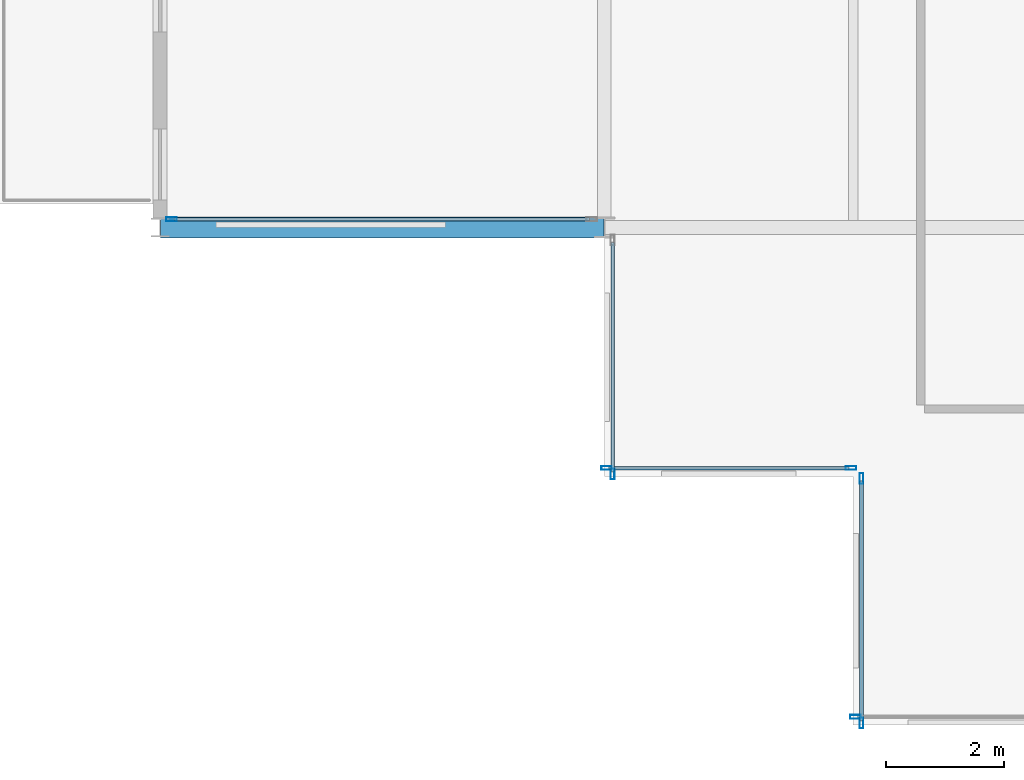
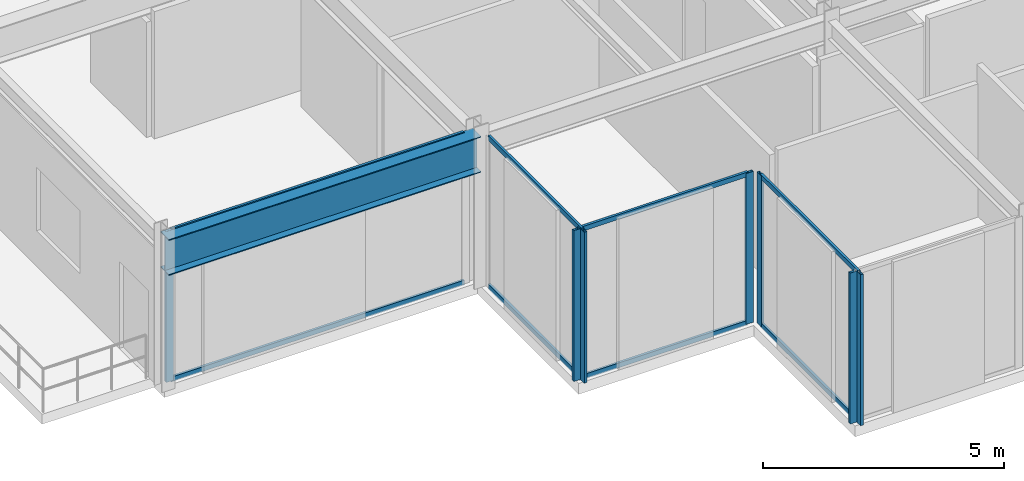
# One storey, part 3 of 29: 15 members, 1 beam, 5 elements without a shape of their own.
"""IFC4 building model written with IfcOpenShell, lengths in metres."""

from ifc_helpers import new_model, si_unit, direction, frame, origin, origin_2d, place, context, subcontext, project, spatial, hollow_rectangle, i_section, extrude, material, layer, layer_set, material_profile, profile_set, type_object, element, aggregate, save


model = new_model("IFC4")

# Units and contexts
model_context = context("Model", 3, precision=1e-05, world=origin(), true_north=direction((0.0, 1.0)))
body_context = subcontext(model_context, "Body", "Model", "MODEL_VIEW")
ifc_project = project(units=[si_unit("LENGTHUNIT", "METRE"), si_unit("AREAUNIT", "SQUARE_METRE"), si_unit("VOLUMEUNIT", "CUBIC_METRE"), si_unit("PLANEANGLEUNIT", "RADIAN"), si_unit("MASSUNIT", "GRAM", prefix="KILO")], contexts=[model_context])

# Site, building, storey
site_placement = place(None, origin())
site = spatial("IfcSite", under=ifc_project, at=site_placement, CompositionType="ELEMENT")
building_placement = place(site_placement, origin())
building = spatial("IfcBuilding", under=site, at=building_placement, Name="Nerrivon Quay Data Exchange", CompositionType="ELEMENT")
storey_placement = place(building_placement, frame((0.0, 0.0, 175.5)))
storey = spatial("IfcBuildingStorey", under=building, at=storey_placement, Name="L41", CompositionType="ELEMENT", Elevation=175.5)

# Beam
ifc_material_1 = material(Name="Steel Grade 350", Category="steel")
ifc_material_profile_1 = material_profile(ifc_material_1, i_section(OverallWidth=0.35009765625, OverallDepth=0.909912109375, WebThickness=0.011962890625, FlangeThickness=0.02490234375, at=origin_2d()), Name="900WB218")
ifc_profile_set_1 = profile_set([ifc_material_profile_1], Name="Steel Grade 350")
beam_type = type_object("IfcBeamType", Name="BM-CANT-900WB", PredefinedType="USERDEFINED", material=ifc_profile_set_1)
beam_placement = place(storey_placement, frame((-0.010009765625, 8.39990234375, 3.3701171875), z_axis=(-1.0, 0.0, 0.0), x_axis=(0.0, -1.0, 0.0)))
element("IfcBeam", 1, at=beam_placement, inside=storey, type_object=beam_type, Name="L41 West Hooked Cantilever Girder Y=8.4", ObjectType="TRANSFER", PredefinedType="USERDEFINED", context=body_context, shape_type="SweptSolid", body=[
    extrude(i_section(OverallWidth=0.35009765625, OverallDepth=0.909912109375, WebThickness=0.011962890625, FlangeThickness=0.02490234375, at=origin_2d()), origin(), (0.0, 0.0, 1.0), 7.482177734375),
])

# Curtain wall, member
ifc_material_2 = material(Name="Anodised aluminium 6063-T6", Category="aluminium")
ifc_layer_1 = layer(ifc_material_2, 0.195068359375)
ifc_layer_set_1 = layer_set([ifc_layer_1], Name="Anodised aluminium 6063-T6")
curtain_wall_type_1 = type_object("IfcCurtainWallType", Name="CW-SYS-06", PredefinedType="NOTDEFINED", material=ifc_layer_set_1)
curtain_wall_1_placement = place(storey_placement, origin())
curtain_wall_1 = element("IfcCurtainWall", 2, at=curtain_wall_1_placement, inside=storey, type_object=curtain_wall_type_1, Name="L41 Unitised Curtain Wall 28", PredefinedType="NOTDEFINED")
ifc_material_profile_2 = material_profile(ifc_material_2, hollow_rectangle(XDim=0.06494140625, YDim=0.179931640625, WallThickness=0.00341796875, at=origin_2d()), Name="ALU-MULL-180x65")
ifc_profile_set_2 = profile_set([ifc_material_profile_2], Name="Anodised aluminium 6063-T6")
member_type_1 = type_object("IfcMemberType", Name="CWM-180x65", PredefinedType="MULLION", material=ifc_profile_set_2)
member_1_placement = place(storey_placement, frame((4.237548828125, 0.139892578125, 0.0), z_axis=(0.0, 0.0, 1.0), x_axis=(0.0, -1.0, 0.0)))
member_1 = element("IfcMember", 3, at=member_1_placement, type_object=member_type_1, Name="CW06 mullion 2", PredefinedType="MULLION", context=body_context, shape_type="SweptSolid", body=[
    extrude(hollow_rectangle(XDim=0.06494140625, YDim=0.179931640625, WallThickness=0.00341796875, at=origin_2d()), origin(), (0.0, 0.0, 1.0), 3.824951171875),
])
aggregate(curtain_wall_1, [member_1])

# Curtain wall, members
curtain_wall_2_placement = place(storey_placement, origin())
curtain_wall_2 = element("IfcCurtainWall", 4, at=curtain_wall_2_placement, inside=storey, type_object=curtain_wall_type_1, Name="L41 Unitised Curtain Wall 29", PredefinedType="NOTDEFINED")
member_2_placement = place(storey_placement, frame((4.340087890625, 0.03759765625, 0.0), z_axis=(0.0, 0.0, 1.0), x_axis=(-1.0, 0.0, 0.0)))
member_2 = element("IfcMember", 5, at=member_2_placement, type_object=member_type_1, Name="CW06 mullion 1", PredefinedType="MULLION", context=body_context, shape_type="SweptSolid", body=[
    extrude(hollow_rectangle(XDim=0.06494140625, YDim=0.179931640625, WallThickness=0.00341796875, at=origin_2d()), origin(), (0.0, 0.0, 1.0), 3.824951171875),
])
member_3_placement = place(storey_placement, frame((4.340087890625, 4.16259765625, 0.0), z_axis=(0.0, 0.0, 1.0), x_axis=(-1.0, 0.0, 0.0)))
member_3 = element("IfcMember", 6, at=member_3_placement, type_object=member_type_1, Name="CW06 mullion 2", PredefinedType="MULLION", context=body_context, shape_type="SweptSolid", body=[
    extrude(hollow_rectangle(XDim=0.06494140625, YDim=0.179931640625, WallThickness=0.00341796875, at=origin_2d()), origin(), (0.0, 0.0, 1.0), 3.824951171875),
])

curtain_wall_3_placement = place(storey_placement, origin())
curtain_wall_3 = element("IfcCurtainWall", 7, at=curtain_wall_3_placement, inside=storey, type_object=curtain_wall_type_1, Name="L41 Unitised Curtain Wall 30", PredefinedType="NOTDEFINED")
member_4_placement = place(storey_placement, frame((4.16259765625, 4.340087890625, 0.0), z_axis=(0.0, 0.0, 1.0), x_axis=(0.0, -1.0, 0.0)))
member_4 = element("IfcMember", 8, at=member_4_placement, type_object=member_type_1, Name="CW06 mullion 1", PredefinedType="MULLION", context=body_context, shape_type="SweptSolid", body=[
    extrude(hollow_rectangle(XDim=0.06494140625, YDim=0.179931640625, WallThickness=0.00341796875, at=origin_2d()), origin(), (0.0, 0.0, 1.0), 3.824951171875),
])
member_5_placement = place(storey_placement, frame((0.03759765625, 4.340087890625, 0.0), z_axis=(0.0, 0.0, 1.0), x_axis=(0.0, -1.0, 0.0)))
member_5 = element("IfcMember", 9, at=member_5_placement, type_object=member_type_1, Name="CW06 mullion 2", PredefinedType="MULLION", context=body_context, shape_type="SweptSolid", body=[
    extrude(hollow_rectangle(XDim=0.06494140625, YDim=0.179931640625, WallThickness=0.00341796875, at=origin_2d()), origin(), (0.0, 0.0, 1.0), 3.824951171875),
])

# Curtain wall, member
curtain_wall_4_placement = place(storey_placement, origin())
curtain_wall_4 = element("IfcCurtainWall", 10, at=curtain_wall_4_placement, inside=storey, type_object=curtain_wall_type_1, Name="L41 Unitised Curtain Wall 31", PredefinedType="NOTDEFINED")
member_6_placement = place(storey_placement, frame((0.139892578125, 4.237548828125, 0.0), z_axis=(0.0, 0.0, 1.0), x_axis=(-1.0, 0.0, 0.0)))
member_6 = element("IfcMember", 11, at=member_6_placement, type_object=member_type_1, Name="CW06 mullion 1", PredefinedType="MULLION", context=body_context, shape_type="SweptSolid", body=[
    extrude(hollow_rectangle(XDim=0.06494140625, YDim=0.179931640625, WallThickness=0.00341796875, at=origin_2d()), origin(), (0.0, 0.0, 1.0), 3.824951171875),
])

ifc_layer_2 = layer(ifc_material_2, 0.199951171875)
ifc_layer_set_2 = layer_set([ifc_layer_2], Name="Anodised aluminium 6063-T6")
curtain_wall_type_2 = type_object("IfcCurtainWallType", Name="CW-SYS-04", PredefinedType="NOTDEFINED", material=ifc_layer_set_2)
curtain_wall_5_placement = place(storey_placement, origin())
curtain_wall_5 = element("IfcCurtainWall", 12, at=curtain_wall_5_placement, inside=storey, type_object=curtain_wall_type_2, Name="L41 Unitised Curtain Wall 32", PredefinedType="NOTDEFINED")
member_7_placement = place(storey_placement, frame((-7.306884765625, 8.5400390625, 0.0), z_axis=(0.0, 0.0, 1.0), x_axis=(0.0, -1.0, 0.0)))
member_7 = element("IfcMember", 13, at=member_7_placement, type_object=member_type_1, Name="CW04 mullion 2", PredefinedType="MULLION", context=body_context, shape_type="SweptSolid", body=[
    extrude(hollow_rectangle(XDim=0.06494140625, YDim=0.179931640625, WallThickness=0.00341796875, at=origin_2d()), origin(), (0.0, 0.0, 1.0), 3.824951171875),
])

# Member
ifc_material_profile_3 = material_profile(ifc_material_2, hollow_rectangle(XDim=0.06005859375, YDim=0.1201171875, WallThickness=0.003173828125, at=origin_2d()), Name="ALU-TRAN-120x60")
ifc_profile_set_3 = profile_set([ifc_material_profile_3], Name="Anodised aluminium 6063-T6")
member_type_2 = type_object("IfcMemberType", Name="CWT-120x60", PredefinedType="USERDEFINED", material=ifc_profile_set_3)
member_8_placement = place(storey_placement, frame((4.340087890625, 0.074951171875, 0.032470703125), z_axis=(0.0, 1.0, 0.0), x_axis=(-1.0, 0.0, 0.0)))
member_8 = element("IfcMember", 14, at=member_8_placement, type_object=member_type_2, Name="CW06 transom 1.1", ObjectType="TRANSOM", PredefinedType="USERDEFINED", context=body_context, shape_type="SweptSolid", body=[
    extrude(hollow_rectangle(XDim=0.06005859375, YDim=0.1201171875, WallThickness=0.003173828125, at=origin_2d()), origin(), (0.0, 0.0, 1.0), 4.050048828125),
])

member_9_placement = place(storey_placement, frame((4.340087890625, 0.074951171875, 3.79248046875), z_axis=(0.0, 1.0, 0.0), x_axis=(-1.0, 0.0, 0.0)))
member_9 = element("IfcMember", 15, at=member_9_placement, type_object=member_type_2, Name="CW06 transom 1.2", ObjectType="TRANSOM", PredefinedType="USERDEFINED", context=body_context, shape_type="SweptSolid", body=[
    extrude(hollow_rectangle(XDim=0.06005859375, YDim=0.1201171875, WallThickness=0.003173828125, at=origin_2d()), origin(), (0.0, 0.0, 1.0), 4.050048828125),
])

aggregate(curtain_wall_2, [member_2, member_3, member_8, member_9])

member_10_placement = place(storey_placement, frame((4.125, 4.340087890625, 0.032470703125), z_axis=(-1.0, 0.0, 0.0), x_axis=(0.0, -1.0, 0.0)))
member_10 = element("IfcMember", 16, at=member_10_placement, type_object=member_type_2, Name="CW06 transom 1.1", ObjectType="TRANSOM", PredefinedType="USERDEFINED", context=body_context, shape_type="SweptSolid", body=[
    extrude(hollow_rectangle(XDim=0.06005859375, YDim=0.1201171875, WallThickness=0.003173828125, at=origin_2d()), origin(), (0.0, 0.0, 1.0), 4.050048828125),
])

member_11_placement = place(storey_placement, frame((4.125, 4.340087890625, 3.79248046875), z_axis=(-1.0, 0.0, 0.0), x_axis=(0.0, -1.0, 0.0)))
member_11 = element("IfcMember", 17, at=member_11_placement, type_object=member_type_2, Name="CW06 transom 1.2", ObjectType="TRANSOM", PredefinedType="USERDEFINED", context=body_context, shape_type="SweptSolid", body=[
    extrude(hollow_rectangle(XDim=0.06005859375, YDim=0.1201171875, WallThickness=0.003173828125, at=origin_2d()), origin(), (0.0, 0.0, 1.0), 4.050048828125),
])

aggregate(curtain_wall_3, [member_4, member_5, member_10, member_11])

member_12_placement = place(storey_placement, frame((0.139892578125, 4.27490234375, 0.032470703125), z_axis=(0.0, 1.0, 0.0), x_axis=(-1.0, 0.0, 0.0)))
member_12 = element("IfcMember", 18, at=member_12_placement, type_object=member_type_2, Name="CW06 transom 1.1", ObjectType="TRANSOM", PredefinedType="USERDEFINED", context=body_context, shape_type="SweptSolid", body=[
    extrude(hollow_rectangle(XDim=0.06005859375, YDim=0.1201171875, WallThickness=0.003173828125, at=origin_2d()), origin(), (0.0, 0.0, 1.0), 3.875),
])

member_13_placement = place(storey_placement, frame((0.139892578125, 4.27490234375, 3.79248046875), z_axis=(0.0, 1.0, 0.0), x_axis=(-1.0, 0.0, 0.0)))
member_13 = element("IfcMember", 19, at=member_13_placement, type_object=member_type_2, Name="CW06 transom 1.2", ObjectType="TRANSOM", PredefinedType="USERDEFINED", context=body_context, shape_type="SweptSolid", body=[
    extrude(hollow_rectangle(XDim=0.06005859375, YDim=0.1201171875, WallThickness=0.003173828125, at=origin_2d()), origin(), (0.0, 0.0, 1.0), 3.875),
])

aggregate(curtain_wall_4, [member_6, member_12, member_13])

member_14_placement = place(storey_placement, frame((-0.25, 8.5400390625, 0.032470703125), z_axis=(-1.0, 0.0, 0.0), x_axis=(0.0, -1.0, 0.0)))
member_14 = element("IfcMember", 20, at=member_14_placement, type_object=member_type_2, Name="CW04 transom 1.1", ObjectType="TRANSOM", PredefinedType="USERDEFINED", context=body_context, shape_type="SweptSolid", body=[
    extrude(hollow_rectangle(XDim=0.06005859375, YDim=0.1201171875, WallThickness=0.003173828125, at=origin_2d()), origin(), (0.0, 0.0, 1.0), 7.01953125),
])

member_15_placement = place(storey_placement, frame((-0.25, 8.5400390625, 3.79248046875), z_axis=(-1.0, 0.0, 0.0), x_axis=(0.0, -1.0, 0.0)))
member_15 = element("IfcMember", 21, at=member_15_placement, type_object=member_type_2, Name="CW04 transom 1.2", ObjectType="TRANSOM", PredefinedType="USERDEFINED", context=body_context, shape_type="SweptSolid", body=[
    extrude(hollow_rectangle(XDim=0.06005859375, YDim=0.1201171875, WallThickness=0.003173828125, at=origin_2d()), origin(), (0.0, 0.0, 1.0), 7.01953125),
])

aggregate(curtain_wall_5, [member_7, member_14, member_15])

save(model, "model.ifc")
